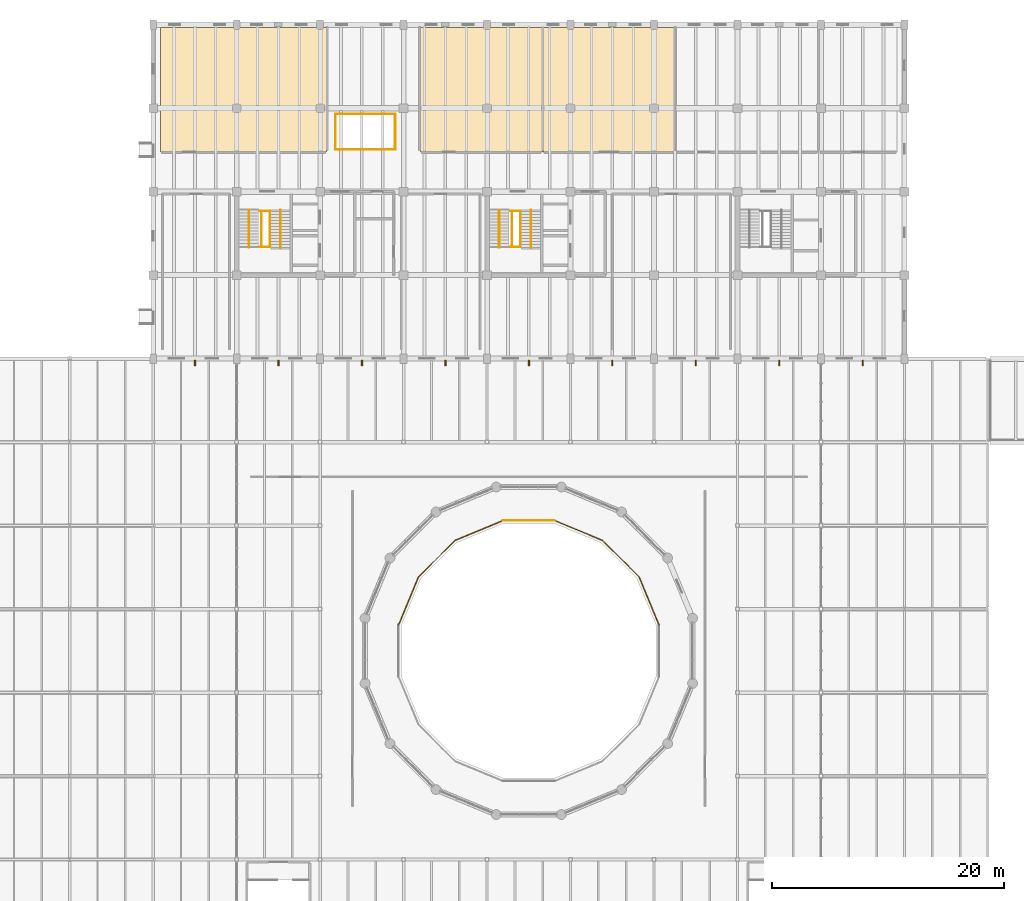
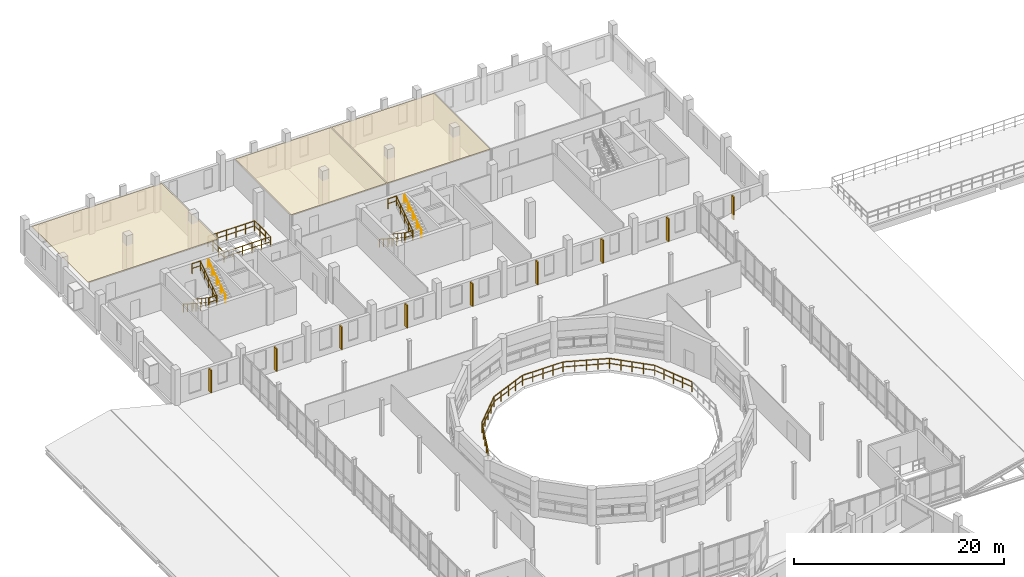
# One storey, part 61 of 63: 23 railings, 9 shading devices, 3 coverings.
"""IFC4 building model written with IfcOpenShell, lengths in metres."""

import ifcopenshell
import ifcopenshell.guid

model = None  # the IFC model being written
_history = None  # IfcOwnerHistory: only IFC2X3 demands one
_inside = {}  # id of a spatial element -> (the spatial element, [elements in it])
_under = {}  # id of a project, library or spatial element -> (it, [spatial elements below it])
_declared = {}  # id of a project -> (the project, [libraries it declares])
_typed = {}  # id of a type object -> (the type object, [elements of that type])
_made_of = {}  # id of a material, layer set ... -> (it, [elements and type objects made of it])


def new_model(schema):
    """Start an empty IFC model of exactly this schema.

    Asked for "IFC4X3", IfcOpenShell would pick the latest addendum, in which some entities
    have other attributes; the version numbers below select the first issue.
    IFC2X3 requires an IfcOwnerHistory on every rooted entity: one is made here for all.
    """
    global model, _history
    if schema == "IFC4X3":
        model = ifcopenshell.file(schema_version=(4, 3, 0, 0))
    else:
        model = ifcopenshell.file(schema=schema)
    _inside.clear()
    _under.clear()
    _declared.clear()
    _typed.clear()
    _made_of.clear()
    _history = None
    if model.schema == "IFC2X3":
        org = make("IfcOrganization", Name="unknown")
        user = make(
            "IfcPersonAndOrganization",
            ThePerson=make("IfcPerson", FamilyName="unknown"),
            TheOrganization=org,
        )
        app = make(
            "IfcApplication",
            ApplicationDeveloper=org,
            Version="unknown",
            ApplicationFullName="unknown",
            ApplicationIdentifier="unknown",
        )
        _history = make(
            "IfcOwnerHistory",
            OwningUser=user,
            OwningApplication=app,
            ChangeAction="ADDED",
            CreationDate=0,
        )
    return model


def make(cls, **values):
    """One entity of the class cls with the attributes given. An attribute that is None is left unset."""
    return model.create_entity(
        cls, **{name: value for name, value in values.items() if value is not None}
    )


def rooted(cls, **values):
    """An entity with a GlobalId (a new one), such as an element, a storey or a relation."""
    return make(cls, GlobalId=ifcopenshell.guid.new(), OwnerHistory=_history, **values)


def si_unit(unit_type, name, prefix=None):
    """IfcSIUnit, for example si_unit("LENGTHUNIT", "METRE", prefix="MILLI")."""
    return make("IfcSIUnit", UnitType=unit_type, Prefix=prefix, Name=name)


def assignment(units):
    """IfcUnitAssignment: the units of a project."""
    return None if units is None else make("IfcUnitAssignment", Units=units)


def point(xyz):
    """IfcCartesianPoint."""
    return None if xyz is None else make("IfcCartesianPoint", Coordinates=xyz)


def direction(xyz):
    """IfcDirection."""
    return None if xyz is None else make("IfcDirection", DirectionRatios=xyz)


def frame(location, z_axis=None, x_axis=None):
    """IfcAxis2Placement3D, a coordinate frame: its origin and axes. An axis left out is left unset."""
    return make(
        "IfcAxis2Placement3D",
        Location=point(location),
        Axis=direction(z_axis),
        RefDirection=direction(x_axis),
    )


def frame_2d(location, x_axis=None):
    """IfcAxis2Placement2D, a coordinate frame in the plane: its origin and x axis."""
    return make(
        "IfcAxis2Placement2D", Location=point(location), RefDirection=direction(x_axis)
    )


def origin():
    """The frame at (0, 0, 0) with its axes left unset."""
    return frame((0.0, 0.0, 0.0))


def origin_2d():
    """The frame at (0, 0) in the plane with its x axis left unset."""
    return frame_2d((0.0, 0.0))


def place(relative_to, where):
    """IfcLocalPlacement: puts the frame where relative to a parent placement (None: the world)."""
    return make(
        "IfcLocalPlacement", PlacementRelTo=relative_to, RelativePlacement=where
    )


def context(
    kind, dimensions, precision=None, world=None, true_north=None, identifier=None
):
    """IfcGeometricRepresentationContext, for example the 3D "Model" context."""
    return make(
        "IfcGeometricRepresentationContext",
        ContextIdentifier=identifier,
        ContextType=kind,
        CoordinateSpaceDimension=dimensions,
        Precision=precision,
        WorldCoordinateSystem=world,
        TrueNorth=true_north,
    )


def subcontext(parent, identifier, kind, view, scale=None):
    """IfcGeometricRepresentationSubContext, for example "Body" below "Model"."""
    return make(
        "IfcGeometricRepresentationSubContext",
        ContextIdentifier=identifier,
        ContextType=kind,
        ParentContext=parent,
        TargetScale=scale,
        TargetView=view,
    )


def project(units=None, contexts=None):
    """IfcProject with its units and contexts."""
    return rooted(
        "IfcProject",
        Name="project",
        RepresentationContexts=contexts,
        UnitsInContext=assignment(units),
    )


def spatial(cls, under=None, at=None, **own):
    """A site, building, storey or space (cls), placed at a placement, below another one or the project."""
    s = rooted(cls, ObjectPlacement=at, **own)
    if under is not None:
        _under.setdefault(under.id(), (under, []))[1].append(s)
    return s


def polyline(points):
    """IfcPolyline through the points."""
    return make("IfcPolyline", Points=[point(p) for p in points])


def profile(cls, at=None, kind="AREA", **sizes):
    """A parametric profile (cls). Its sizes go by their IFC names, for example OverallWidth=200.0."""
    return make(cls, ProfileType=kind, Position=at, **sizes)


def rectangle(**sizes):
    """IfcRectangleProfileDef."""
    return profile("IfcRectangleProfileDef", **sizes)


def circle(**sizes):
    """IfcCircleProfileDef."""
    return profile("IfcCircleProfileDef", **sizes)


def outline(outer, holes=None, kind="AREA"):
    """IfcArbitraryClosedProfileDef: a profile drawn as a closed curve; with holes, ...WithVoids."""
    if holes is None:
        return make("IfcArbitraryClosedProfileDef", ProfileType=kind, OuterCurve=outer)
    return make(
        "IfcArbitraryProfileDefWithVoids",
        ProfileType=kind,
        OuterCurve=outer,
        InnerCurves=holes,
    )


def extrude(swept, where, along, depth):
    """IfcExtrudedAreaSolid: the profile swept, set in the frame where, extruded along a direction by depth."""
    return make(
        "IfcExtrudedAreaSolid",
        SweptArea=swept,
        Position=where,
        ExtrudedDirection=direction(along),
        Depth=depth,
    )


def shape(context_of_items, identifier, shape_type, items):
    """IfcShapeRepresentation: the items that make up one representation, for example the "Body"."""
    return make(
        "IfcShapeRepresentation",
        ContextOfItems=context_of_items,
        RepresentationIdentifier=identifier,
        RepresentationType=shape_type,
        Items=items,
    )


def material(Name=None, Category=None):
    """IfcMaterial."""
    return make("IfcMaterial", Name=Name, Category=Category)


def layer(
    of_material, thickness, ventilated=None, Name=None, Category=None, Priority=None
):
    """IfcMaterialLayer: one layer of a wall or slab, of a material (None: an air gap)."""
    return make(
        "IfcMaterialLayer",
        Material=of_material,
        LayerThickness=thickness,
        IsVentilated=ventilated,
        Name=Name,
        Category=Category,
        Priority=Priority,
    )


def layer_set(layers, Name=None):
    """IfcMaterialLayerSet."""
    return make("IfcMaterialLayerSet", MaterialLayers=layers, LayerSetName=Name)


def material_profile(
    of_material, cross_section, Name=None, Category=None, Priority=None
):
    """IfcMaterialProfile: a cross section and its material."""
    return make(
        "IfcMaterialProfile",
        Name=Name,
        Material=of_material,
        Profile=cross_section,
        Priority=Priority,
        Category=Category,
    )


def profile_set(profiles, Name=None, composite=None):
    """IfcMaterialProfileSet."""
    return make(
        "IfcMaterialProfileSet",
        Name=Name,
        MaterialProfiles=profiles,
        CompositeProfile=composite,
    )


def made_of(thing, what):
    """Note that an element or type object is made of a material, layer set ...; save() writes the relation."""
    if what is not None:
        _made_of.setdefault(what.id(), (what, []))[1].append(thing)
    return thing


def type_object(cls, material=None, **own):
    """A type object (cls), such as IfcWallType, which elements share."""
    return made_of(rooted(cls, **own), material)


def element(
    cls,
    number,
    at=None,
    inside=None,
    cuts=None,
    type_object=None,
    material=None,
    context=None,
    identifier="Body",
    shape_type=None,
    held_by="IfcProductDefinitionShape",
    body=None,
    shapes=None,
    **own,
):
    """One element of the class cls, such as IfcWall. Its Tag is "e" and its number.

    at: its placement. inside: the storey or other place that contains it. cuts: it is an
    opening in that element (IfcRelVoidsElement). A single representation is given by context,
    identifier, shape_type and body (its items); several are given by shapes. held_by: the class
    of the entity that holds the representations. save() writes the other relations.
    """
    e = rooted(cls, Tag="e%d" % number, ObjectPlacement=at, **own)
    if body is not None:
        shapes = [shape(context, identifier, shape_type, body)]
    if shapes is not None:
        e.Representation = make(held_by, Representations=shapes)
    if inside is not None:
        _inside.setdefault(inside.id(), (inside, []))[1].append(e)
    if cuts is not None:
        rooted(
            "IfcRelVoidsElement", RelatingBuildingElement=cuts, RelatedOpeningElement=e
        )
    if type_object is not None:
        _typed.setdefault(type_object.id(), (type_object, []))[1].append(e)
    return made_of(e, material)


def aggregate(whole, parts):
    """IfcRelAggregates: a whole, such as a stair, and the parts it consists of."""
    return rooted("IfcRelAggregates", RelatingObject=whole, RelatedObjects=parts)


def save(model, path):
    """Write the relations noted so far, then the file.

    IfcRelAggregates (storeys below a building ...), IfcRelContainedInSpatialStructure (elements
    in a storey), IfcRelDefinesByType, IfcRelAssociatesMaterial and IfcRelDeclares: one each for
    every whole, place, type object, material and project.
    """
    for whole, parts in _under.values():
        aggregate(whole, parts)
    for where, things in _inside.values():
        rooted(
            "IfcRelContainedInSpatialStructure",
            RelatedElements=things,
            RelatingStructure=where,
        )
    for kind, things in _typed.values():
        rooted("IfcRelDefinesByType", RelatedObjects=things, RelatingType=kind)
    for what, things in _made_of.values():
        rooted("IfcRelAssociatesMaterial", RelatedObjects=things, RelatingMaterial=what)
    for by, libraries in _declared.values():
        rooted("IfcRelDeclares", RelatingContext=by, RelatedDefinitions=libraries)
    model.write(path)


model = new_model("IFC4")

# Units and contexts
model_context = context("Model", 3, precision=1e-05, world=origin(), true_north=direction((0.0, 1.0)))
body_context = subcontext(model_context, "Body", "Model", "MODEL_VIEW")
ifc_project = project(units=[si_unit("LENGTHUNIT", "METRE"), si_unit("AREAUNIT", "SQUARE_METRE"), si_unit("VOLUMEUNIT", "CUBIC_METRE"), si_unit("PLANEANGLEUNIT", "RADIAN"), si_unit("MASSUNIT", "GRAM", prefix="KILO")], contexts=[model_context])

# Site, building, storey
site_placement = place(None, origin())
site = spatial("IfcSite", under=ifc_project, at=site_placement, CompositionType="ELEMENT")
building_placement = place(site_placement, origin())
building = spatial("IfcBuilding", under=site, at=building_placement, Name="Qiaolan Assembly House", CompositionType="ELEMENT")
storey_placement = place(building_placement, frame((0.0, 0.0, 14.39990234375)))
storey = spatial("IfcBuildingStorey", under=building, at=storey_placement, Name="L03", CompositionType="ELEMENT", Elevation=14.39990234375)

# Coverings
ifc_material_1 = material(Name="Gypsum plasterboard acoustic ceiling")
ifc_layer_1 = layer(ifc_material_1, 0.044921875)
ifc_layer_set_1 = layer_set([ifc_layer_1], Name="Gypsum plasterboard acoustic ceiling")
covering_type_1 = type_object("IfcCoveringType", Name="COV-CEIL-ACOUSTIC", PredefinedType="CEILING", material=ifc_layer_set_1)
covering_1_placement = place(storey_placement, frame((0.0, 0.0, 3.03515625)))
element("IfcCovering", 1, at=covering_1_placement, inside=storey, type_object=covering_type_1, Name="Suspended ceiling Urban Design & Statutory Planning Department", PredefinedType="CEILING", context=body_context, shape_type="SweptSolid", body=[
    extrude(outline(polyline([(36.639892578125, 104.239990234375), (50.9599609375, 104.239990234375), (50.9599609375, 114.949951171875), (36.639892578125, 114.949951171875), (36.639892578125, 104.239990234375)])), origin(), (0.0, 0.0, 1.0), 0.044921875),
])
covering_2_placement = place(storey_placement, frame((0.0, 0.0, 3.03515625)))
element("IfcCovering", 2, at=covering_2_placement, inside=storey, type_object=covering_type_1, Name="Suspended ceiling GIS & Digital Twin Municipal Data Room", PredefinedType="CEILING", context=body_context, shape_type="SweptSolid", body=[
    extrude(outline(polyline([(59.0400390625, 104.239990234375), (69.56005859375, 104.239990234375), (69.56005859375, 114.949951171875), (59.0400390625, 114.949951171875), (59.0400390625, 104.239990234375)])), origin(), (0.0, 0.0, 1.0), 0.044921875),
])
ifc_layer_2 = layer(ifc_material_1, 0.052001953125)
ifc_layer_set_2 = layer_set([ifc_layer_2], Name="Gypsum plasterboard acoustic ceiling")
covering_type_2 = type_object("IfcCoveringType", Name="COV-CEIL-GYPSUM", PredefinedType="CEILING", material=ifc_layer_set_2)
covering_3_placement = place(storey_placement, frame((0.0, 0.0, 3.028076171875)))
element("IfcCovering", 3, at=covering_3_placement, inside=storey, type_object=covering_type_2, Name="Suspended ceiling Departmental Review Conference Room A", PredefinedType="CEILING", context=body_context, shape_type="SweptSolid", body=[
    extrude(outline(polyline([(69.639892578125, 104.239990234375), (80.9599609375, 104.239990234375), (80.9599609375, 114.949951171875), (69.639892578125, 114.949951171875), (69.639892578125, 104.239990234375)])), origin(), (0.0, 0.0, 1.0), 0.052001953125),
])

# Railings
ifc_material_2 = material(Name="Anodised bronze aluminium", Category="aluminium")
railing_type_1 = type_object("IfcRailingType", Name="RAL-GUARD-GALLERY-1200", PredefinedType="BALUSTRADE", material=ifc_material_2)
railing_1_placement = place(storey_placement, frame((79.6298828125, 63.433837890625, 0.0)))
element("IfcRailing", 4, at=railing_1_placement, inside=storey, type_object=railing_type_1, Name="GR-02 Council Chamber L03 Clerestory Ring Guard seg 1", PredefinedType="BALUSTRADE", context=body_context, shape_type="SweptSolid", body=[
    extrude(circle(Radius=0.02392578125, at=origin_2d()), frame((0.0, 0.0, 1.17578125), z_axis=(-0.382651037379, 0.923892950289, 0.0), x_axis=(-0.923892950289, -0.382651037379, 0.0)), (0.0, 0.0, 1.0), 4.467529296875),
    extrude(circle(Radius=0.01611328125, at=origin_2d()), frame((0.0, 0.0, 0.60009765625), z_axis=(-0.382651037379, 0.923892950289, 0.0), x_axis=(-0.923892950289, -0.382651037379, 0.0)), (0.0, 0.0, 1.0), 4.467529296875),
    extrude(circle(Radius=0.02099609375, at=origin_2d()), origin(), (0.0, 0.0, 1.0), 1.15185546875),
    extrude(circle(Radius=0.02099609375, at=origin_2d()), frame((-0.42724609375, 1.03173828125, 0.0)), (0.0, 0.0, 1.0), 1.15185546875),
    extrude(circle(Radius=0.02099609375, at=origin_2d()), frame((-0.854736328125, 2.063720703125, 0.0)), (0.0, 0.0, 1.0), 1.15185546875),
    extrude(circle(Radius=0.02099609375, at=origin_2d()), frame((-1.2822265625, 3.095703125, 0.0)), (0.0, 0.0, 1.0), 1.15185546875),
    extrude(circle(Radius=0.02099609375, at=origin_2d()), frame((-1.70947265625, 4.12744140625, 0.0)), (0.0, 0.0, 1.0), 1.15185546875),
])
railing_2_placement = place(storey_placement, frame((77.92041015625, 67.561279296875, 0.0)))
element("IfcRailing", 5, at=railing_2_placement, inside=storey, type_object=railing_type_1, Name="GR-02 Council Chamber L03 Clerestory Ring Guard seg 2", PredefinedType="BALUSTRADE", context=body_context, shape_type="SweptSolid", body=[
    extrude(circle(Radius=0.02392578125, at=origin_2d()), frame((0.0, 0.0, 1.17578125), z_axis=(-0.707134104233, 0.707079457084, 0.0), x_axis=(-0.707079457084, -0.707134104233, 0.0)), (0.0, 0.0, 1.0), 4.467529296875),
    extrude(circle(Radius=0.01611328125, at=origin_2d()), frame((0.0, 0.0, 0.60009765625), z_axis=(-0.707134104233, 0.707079457084, 0.0), x_axis=(-0.707079457084, -0.707134104233, 0.0)), (0.0, 0.0, 1.0), 4.467529296875),
    extrude(circle(Radius=0.02099609375, at=origin_2d()), origin(), (0.0, 0.0, 1.0), 1.15185546875),
    extrude(circle(Radius=0.02099609375, at=origin_2d()), frame((-0.789794921875, 0.789794921875, 0.0)), (0.0, 0.0, 1.0), 1.15185546875),
    extrude(circle(Radius=0.02099609375, at=origin_2d()), frame((-1.57958984375, 1.57958984375, 0.0)), (0.0, 0.0, 1.0), 1.15185546875),
    extrude(circle(Radius=0.02099609375, at=origin_2d()), frame((-2.369384765625, 2.369140625, 0.0)), (0.0, 0.0, 1.0), 1.15185546875),
    extrude(circle(Radius=0.02099609375, at=origin_2d()), frame((-3.1591796875, 3.158935546875, 0.0)), (0.0, 0.0, 1.0), 1.15185546875),
])
railing_3_placement = place(storey_placement, frame((74.76123046875, 70.72021484375, 0.0)))
element("IfcRailing", 6, at=railing_3_placement, inside=storey, type_object=railing_type_1, Name="GR-02 Council Chamber L03 Clerestory Ring Guard seg 3", PredefinedType="BALUSTRADE", context=body_context, shape_type="SweptSolid", body=[
    extrude(circle(Radius=0.02392578125, at=origin_2d()), frame((0.0, 0.0, 1.17578125), z_axis=(-0.923873629595, 0.382697682956, 0.0), x_axis=(-0.382697682956, -0.923873629595, 0.0)), (0.0, 0.0, 1.0), 4.467529296875),
    extrude(circle(Radius=0.01611328125, at=origin_2d()), frame((0.0, 0.0, 0.60009765625), z_axis=(-0.923873629595, 0.382697682956, 0.0), x_axis=(-0.382697682956, -0.923873629595, 0.0)), (0.0, 0.0, 1.0), 4.467529296875),
    extrude(circle(Radius=0.02099609375, at=origin_2d()), origin(), (0.0, 0.0, 1.0), 1.15185546875),
    extrude(circle(Radius=0.02099609375, at=origin_2d()), frame((-1.03173828125, 0.427490234375, 0.0)), (0.0, 0.0, 1.0), 1.15185546875),
    extrude(circle(Radius=0.02099609375, at=origin_2d()), frame((-2.063720703125, 0.85498046875, 0.0)), (0.0, 0.0, 1.0), 1.15185546875),
    extrude(circle(Radius=0.02099609375, at=origin_2d()), frame((-3.095703125, 1.2822265625, 0.0)), (0.0, 0.0, 1.0), 1.15185546875),
    extrude(circle(Radius=0.02099609375, at=origin_2d()), frame((-4.12744140625, 1.709716796875, 0.0)), (0.0, 0.0, 1.0), 1.15185546875),
])
railing_4_placement = place(storey_placement, frame((70.6337890625, 72.429931640625, 0.0)))
element("IfcRailing", 7, at=railing_4_placement, inside=storey, type_object=railing_type_1, Name="GR-02 Council Chamber L03 Clerestory Ring Guard seg 4", PredefinedType="BALUSTRADE", context=body_context, shape_type="SweptSolid", body=[
    extrude(circle(Radius=0.02392578125, at=origin_2d()), frame((0.0, 0.0, 1.17578125), z_axis=(-1.0, 0.0, 0.0), x_axis=(0.0, -1.0, 0.0)), (0.0, 0.0, 1.0), 4.467529296875),
    extrude(circle(Radius=0.01611328125, at=origin_2d()), frame((0.0, 0.0, 0.60009765625), z_axis=(-1.0, 0.0, 0.0), x_axis=(0.0, -1.0, 0.0)), (0.0, 0.0, 1.0), 4.467529296875),
    extrude(circle(Radius=0.02099609375, at=origin_2d()), origin(), (0.0, 0.0, 1.0), 1.15185546875),
    extrude(circle(Radius=0.02099609375, at=origin_2d()), frame((-1.116943359375, 0.0, 0.0)), (0.0, 0.0, 1.0), 1.15185546875),
    extrude(circle(Radius=0.02099609375, at=origin_2d()), frame((-2.23388671875, 0.0, 0.0)), (0.0, 0.0, 1.0), 1.15185546875),
    extrude(circle(Radius=0.02099609375, at=origin_2d()), frame((-3.3505859375, 0.0, 0.0)), (0.0, 0.0, 1.0), 1.15185546875),
    extrude(circle(Radius=0.02099609375, at=origin_2d()), frame((-4.467529296875, 0.0, 0.0)), (0.0, 0.0, 1.0), 1.15185546875),
])
railing_5_placement = place(storey_placement, frame((66.166259765625, 72.429931640625, 0.0)))
element("IfcRailing", 8, at=railing_5_placement, inside=storey, type_object=railing_type_1, Name="GR-02 Council Chamber L03 Clerestory Ring Guard seg 5", PredefinedType="BALUSTRADE", context=body_context, shape_type="SweptSolid", body=[
    extrude(circle(Radius=0.02392578125, at=origin_2d()), frame((0.0, 0.0, 1.17578125), z_axis=(-0.923873629595, -0.382697682956, 0.0), x_axis=(0.382697682956, -0.923873629595, 0.0)), (0.0, 0.0, 1.0), 4.467529296875),
    extrude(circle(Radius=0.01611328125, at=origin_2d()), frame((0.0, 0.0, 0.60009765625), z_axis=(-0.923873629595, -0.382697682956, 0.0), x_axis=(0.382697682956, -0.923873629595, 0.0)), (0.0, 0.0, 1.0), 4.467529296875),
    extrude(circle(Radius=0.02099609375, at=origin_2d()), origin(), (0.0, 0.0, 1.0), 1.15185546875),
    extrude(circle(Radius=0.02099609375, at=origin_2d()), frame((-1.03173828125, -0.427490234375, 0.0)), (0.0, 0.0, 1.0), 1.15185546875),
    extrude(circle(Radius=0.02099609375, at=origin_2d()), frame((-2.063720703125, -0.85498046875, 0.0)), (0.0, 0.0, 1.0), 1.15185546875),
    extrude(circle(Radius=0.02099609375, at=origin_2d()), frame((-3.095703125, -1.2822265625, 0.0)), (0.0, 0.0, 1.0), 1.15185546875),
    extrude(circle(Radius=0.02099609375, at=origin_2d()), frame((-4.12744140625, -1.709716796875, 0.0)), (0.0, 0.0, 1.0), 1.15185546875),
])
railing_6_placement = place(storey_placement, frame((62.038818359375, 70.72021484375, 0.0)))
element("IfcRailing", 9, at=railing_6_placement, inside=storey, type_object=railing_type_1, Name="GR-02 Council Chamber L03 Clerestory Ring Guard seg 6", PredefinedType="BALUSTRADE", context=body_context, shape_type="SweptSolid", body=[
    extrude(circle(Radius=0.02392578125, at=origin_2d()), frame((0.0, 0.0, 1.17578125), z_axis=(-0.707134104233, -0.707079457084, 0.0), x_axis=(0.707079457084, -0.707134104233, 0.0)), (0.0, 0.0, 1.0), 4.467529296875),
    extrude(circle(Radius=0.01611328125, at=origin_2d()), frame((0.0, 0.0, 0.60009765625), z_axis=(-0.707134104233, -0.707079457084, 0.0), x_axis=(0.707079457084, -0.707134104233, 0.0)), (0.0, 0.0, 1.0), 4.467529296875),
    extrude(circle(Radius=0.02099609375, at=origin_2d()), origin(), (0.0, 0.0, 1.0), 1.15185546875),
    extrude(circle(Radius=0.02099609375, at=origin_2d()), frame((-0.789794921875, -0.789794921875, 0.0)), (0.0, 0.0, 1.0), 1.15185546875),
    extrude(circle(Radius=0.02099609375, at=origin_2d()), frame((-1.57958984375, -1.57958984375, 0.0)), (0.0, 0.0, 1.0), 1.15185546875),
    extrude(circle(Radius=0.02099609375, at=origin_2d()), frame((-2.369384765625, -2.369140625, 0.0)), (0.0, 0.0, 1.0), 1.15185546875),
    extrude(circle(Radius=0.02099609375, at=origin_2d()), frame((-3.1591796875, -3.158935546875, 0.0)), (0.0, 0.0, 1.0), 1.15185546875),
])
railing_7_placement = place(storey_placement, frame((58.879638671875, 67.561279296875, 0.0)))
element("IfcRailing", 10, at=railing_7_placement, inside=storey, type_object=railing_type_1, Name="GR-02 Council Chamber L03 Clerestory Ring Guard seg 7", PredefinedType="BALUSTRADE", context=body_context, shape_type="SweptSolid", body=[
    extrude(circle(Radius=0.02392578125, at=origin_2d()), frame((0.0, 0.0, 1.17578125), z_axis=(-0.382697682956, -0.923873629595, 0.0), x_axis=(0.923873629595, -0.382697682956, 0.0)), (0.0, 0.0, 1.0), 4.467529296875),
    extrude(circle(Radius=0.01611328125, at=origin_2d()), frame((0.0, 0.0, 0.60009765625), z_axis=(-0.382697682956, -0.923873629595, 0.0), x_axis=(0.923873629595, -0.382697682956, 0.0)), (0.0, 0.0, 1.0), 4.467529296875),
    extrude(circle(Radius=0.02099609375, at=origin_2d()), origin(), (0.0, 0.0, 1.0), 1.15185546875),
    extrude(circle(Radius=0.02099609375, at=origin_2d()), frame((-0.427490234375, -1.03173828125, 0.0)), (0.0, 0.0, 1.0), 1.15185546875),
    extrude(circle(Radius=0.02099609375, at=origin_2d()), frame((-0.85498046875, -2.063720703125, 0.0)), (0.0, 0.0, 1.0), 1.15185546875),
    extrude(circle(Radius=0.02099609375, at=origin_2d()), frame((-1.2822265625, -3.095703125, 0.0)), (0.0, 0.0, 1.0), 1.15185546875),
    extrude(circle(Radius=0.02099609375, at=origin_2d()), frame((-1.709716796875, -4.12744140625, 0.0)), (0.0, 0.0, 1.0), 1.15185546875),
])
railing_8_placement = place(storey_placement, frame((51.719970703125, 104.419921875, 0.0)))
element("IfcRailing", 11, at=railing_8_placement, inside=storey, type_object=railing_type_1, Name="GR-02 North-West Wing Lightwell Atrium Balustrade L03 seg 1", PredefinedType="BALUSTRADE", context=body_context, shape_type="SweptSolid", body=[
    extrude(circle(Radius=0.02392578125, at=origin_2d()), frame((0.0, 0.0, 1.17578125), z_axis=(1.0, 0.0, 0.0), x_axis=(0.0, 1.0, 0.0)), (0.0, 0.0, 1.0), 5.159912109375),
    extrude(circle(Radius=0.01611328125, at=origin_2d()), frame((0.0, 0.0, 0.60009765625), z_axis=(1.0, 0.0, 0.0), x_axis=(0.0, 1.0, 0.0)), (0.0, 0.0, 1.0), 5.159912109375),
    extrude(circle(Radius=0.02099609375, at=origin_2d()), origin(), (0.0, 0.0, 1.0), 1.15185546875),
    extrude(circle(Radius=0.02099609375, at=origin_2d()), frame((1.031982421875, 0.0, 0.0)), (0.0, 0.0, 1.0), 1.15185546875),
    extrude(circle(Radius=0.02099609375, at=origin_2d()), frame((2.06396484375, 0.0, 0.0)), (0.0, 0.0, 1.0), 1.15185546875),
    extrude(circle(Radius=0.02099609375, at=origin_2d()), frame((3.095947265625, 0.0, 0.0)), (0.0, 0.0, 1.0), 1.15185546875),
    extrude(circle(Radius=0.02099609375, at=origin_2d()), frame((4.1279296875, 0.0, 0.0)), (0.0, 0.0, 1.0), 1.15185546875),
    extrude(circle(Radius=0.02099609375, at=origin_2d()), frame((5.159912109375, 0.0, 0.0)), (0.0, 0.0, 1.0), 1.15185546875),
])
railing_9_placement = place(storey_placement, frame((56.8798828125, 104.419921875, 0.0)))
element("IfcRailing", 12, at=railing_9_placement, inside=storey, type_object=railing_type_1, Name="GR-02 North-West Wing Lightwell Atrium Balustrade L03 seg 2", PredefinedType="BALUSTRADE", context=body_context, shape_type="SweptSolid", body=[
    extrude(circle(Radius=0.02392578125, at=origin_2d()), frame((0.0, 0.0, 1.17578125), z_axis=(0.0, 1.0, 0.0), x_axis=(-1.0, 0.0, 0.0)), (0.0, 0.0, 1.0), 3.06005859375),
    extrude(circle(Radius=0.01611328125, at=origin_2d()), frame((0.0, 0.0, 0.60009765625), z_axis=(0.0, 1.0, 0.0), x_axis=(-1.0, 0.0, 0.0)), (0.0, 0.0, 1.0), 3.06005859375),
    extrude(circle(Radius=0.02099609375, at=origin_2d()), origin(), (0.0, 0.0, 1.0), 1.15185546875),
    extrude(circle(Radius=0.02099609375, at=origin_2d()), frame((0.0, 1.02001953125, 0.0)), (0.0, 0.0, 1.0), 1.15185546875),
    extrude(circle(Radius=0.02099609375, at=origin_2d()), frame((0.0, 2.0400390625, 0.0)), (0.0, 0.0, 1.0), 1.15185546875),
    extrude(circle(Radius=0.02099609375, at=origin_2d()), frame((0.0, 3.06005859375, 0.0)), (0.0, 0.0, 1.0), 1.15185546875),
])
railing_10_placement = place(storey_placement, frame((56.8798828125, 107.47998046875, 0.0)))
element("IfcRailing", 13, at=railing_10_placement, inside=storey, type_object=railing_type_1, Name="GR-02 North-West Wing Lightwell Atrium Balustrade L03 seg 3", PredefinedType="BALUSTRADE", context=body_context, shape_type="SweptSolid", body=[
    extrude(circle(Radius=0.02392578125, at=origin_2d()), frame((0.0, 0.0, 1.17578125), z_axis=(-1.0, 0.0, 0.0), x_axis=(0.0, -1.0, 0.0)), (0.0, 0.0, 1.0), 5.159912109375),
    extrude(circle(Radius=0.01611328125, at=origin_2d()), frame((0.0, 0.0, 0.60009765625), z_axis=(-1.0, 0.0, 0.0), x_axis=(0.0, -1.0, 0.0)), (0.0, 0.0, 1.0), 5.159912109375),
    extrude(circle(Radius=0.02099609375, at=origin_2d()), origin(), (0.0, 0.0, 1.0), 1.15185546875),
    extrude(circle(Radius=0.02099609375, at=origin_2d()), frame((-1.031982421875, 0.0, 0.0)), (0.0, 0.0, 1.0), 1.15185546875),
    extrude(circle(Radius=0.02099609375, at=origin_2d()), frame((-2.06396484375, 0.0, 0.0)), (0.0, 0.0, 1.0), 1.15185546875),
    extrude(circle(Radius=0.02099609375, at=origin_2d()), frame((-3.095947265625, 0.0, 0.0)), (0.0, 0.0, 1.0), 1.15185546875),
    extrude(circle(Radius=0.02099609375, at=origin_2d()), frame((-4.1279296875, 0.0, 0.0)), (0.0, 0.0, 1.0), 1.15185546875),
    extrude(circle(Radius=0.02099609375, at=origin_2d()), frame((-5.159912109375, 0.0, 0.0)), (0.0, 0.0, 1.0), 1.15185546875),
])
railing_11_placement = place(storey_placement, frame((51.719970703125, 107.47998046875, 0.0)))
element("IfcRailing", 14, at=railing_11_placement, inside=storey, type_object=railing_type_1, Name="GR-02 North-West Wing Lightwell Atrium Balustrade L03 seg 4", PredefinedType="BALUSTRADE", context=body_context, shape_type="SweptSolid", body=[
    extrude(circle(Radius=0.02392578125, at=origin_2d()), frame((0.0, 0.0, 1.17578125), z_axis=(0.0, -1.0, 0.0), x_axis=(1.0, 0.0, 0.0)), (0.0, 0.0, 1.0), 3.06005859375),
    extrude(circle(Radius=0.01611328125, at=origin_2d()), frame((0.0, 0.0, 0.60009765625), z_axis=(0.0, -1.0, 0.0), x_axis=(1.0, 0.0, 0.0)), (0.0, 0.0, 1.0), 3.06005859375),
    extrude(circle(Radius=0.02099609375, at=origin_2d()), origin(), (0.0, 0.0, 1.0), 1.15185546875),
    extrude(circle(Radius=0.02099609375, at=origin_2d()), frame((0.0, -1.02001953125, 0.0)), (0.0, 0.0, 1.0), 1.15185546875),
    extrude(circle(Radius=0.02099609375, at=origin_2d()), frame((0.0, -2.0400390625, 0.0)), (0.0, 0.0, 1.0), 1.15185546875),
    extrude(circle(Radius=0.02099609375, at=origin_2d()), frame((0.0, -3.06005859375, 0.0)), (0.0, 0.0, 1.0), 1.15185546875),
])
railing_type_2 = type_object("IfcRailingType", Name="RAL-GUARD-STAIRWELL-1150", PredefinedType="GUARDRAIL", material=ifc_material_2)
railing_12_placement = place(storey_placement, frame((45.340087890625, 99.14990234375, 0.0)))
element("IfcRailing", 15, at=railing_12_placement, inside=storey, type_object=railing_type_2, Name="GR-01 stair inner-well guard FLT-CORE-A-L03-1", PredefinedType="GUARDRAIL", context=body_context, shape_type="SweptSolid", body=[
    extrude(circle(Radius=0.02392578125, at=origin_2d()), frame((0.0, 0.0, 1.1259765625), z_axis=(0.0, -0.829565193945, 0.558409875445), x_axis=(1.0, 0.0, 0.0)), (0.0, 0.0, 1.0), 3.7607421875),
    extrude(circle(Radius=0.01611328125, at=origin_2d()), frame((0.0, 0.0, 0.574951171875), z_axis=(0.0, -0.829565193945, 0.558409875445), x_axis=(1.0, 0.0, 0.0)), (0.0, 0.0, 1.0), 3.7607421875),
    extrude(circle(Radius=0.02099609375, at=origin_2d()), origin(), (0.0, 0.0, 1.0), 1.101806640625),
    extrude(circle(Radius=0.02099609375, at=origin_2d()), frame((0.0, -0.780029296875, 0.52490234375)), (0.0, 0.0, 1.0), 1.101806640625),
    extrude(circle(Radius=0.02099609375, at=origin_2d()), frame((0.0, -1.56005859375, 1.050048828125)), (0.0, 0.0, 1.0), 1.101806640625),
    extrude(circle(Radius=0.02099609375, at=origin_2d()), frame((0.0, -2.33984375, 1.5751953125)), (0.0, 0.0, 1.0), 1.101806640625),
    extrude(circle(Radius=0.02099609375, at=origin_2d()), frame((0.0, -3.119873046875, 2.10009765625)), (0.0, 0.0, 1.0), 1.101806640625),
])
railing_13_placement = place(storey_placement, frame((46.080078125, 96.030029296875, 2.10009765625)))
element("IfcRailing", 16, at=railing_13_placement, inside=storey, type_object=railing_type_2, Name="GR-01 stair inner-well guard FLT-CORE-A-L03-2", PredefinedType="GUARDRAIL", context=body_context, shape_type="SweptSolid", body=[
    extrude(circle(Radius=0.02392578125, at=origin_2d()), frame((0.0, 0.0, 1.1259765625), z_axis=(0.0, 0.829565193945, 0.558409875445), x_axis=(-1.0, 0.0, 0.0)), (0.0, 0.0, 1.0), 3.7607421875),
    extrude(circle(Radius=0.01611328125, at=origin_2d()), frame((0.0, 0.0, 0.574951171875), z_axis=(0.0, 0.829565193945, 0.558409875445), x_axis=(-1.0, 0.0, 0.0)), (0.0, 0.0, 1.0), 3.7607421875),
    extrude(circle(Radius=0.02099609375, at=origin_2d()), origin(), (0.0, 0.0, 1.0), 1.101806640625),
    extrude(circle(Radius=0.02099609375, at=origin_2d()), frame((0.0, 0.780029296875, 0.52490234375)), (0.0, 0.0, 1.0), 1.101806640625),
    extrude(circle(Radius=0.02099609375, at=origin_2d()), frame((0.0, 1.56005859375, 1.050048828125)), (0.0, 0.0, 1.0), 1.101806640625),
    extrude(circle(Radius=0.02099609375, at=origin_2d()), frame((0.0, 2.33984375, 1.5751953125)), (0.0, 0.0, 1.0), 1.101806640625),
    extrude(circle(Radius=0.02099609375, at=origin_2d()), frame((0.0, 3.119873046875, 2.10009765625)), (0.0, 0.0, 1.0), 1.101806640625),
])
for number, where, name in (
    (17, (45.179931640625, 96.030029296875, 2.10009765625), "GR-01 stairwell landing guard CORE-A L03-1"),
    (18, (45.179931640625, 99.14990234375, 4.2001953125), "GR-01 stairwell landing guard CORE-A L03-2"),
):
    element("IfcRailing", number, at=place(storey_placement, frame(where)), inside=storey, type_object=railing_type_2, Name=name, PredefinedType="GUARDRAIL", context=body_context, shape_type="SweptSolid", body=[
        extrude(circle(Radius=0.02392578125, at=origin_2d()), frame((0.0, 0.0, 1.1259765625), z_axis=(1.0, 0.0, 0.0), x_axis=(0.0, 1.0, 0.0)), (0.0, 0.0, 1.0), 0.920166015625),
        extrude(circle(Radius=0.01611328125, at=origin_2d()), frame((0.0, 0.0, 0.574951171875), z_axis=(1.0, 0.0, 0.0), x_axis=(0.0, 1.0, 0.0)), (0.0, 0.0, 1.0), 0.920166015625),
        extrude(circle(Radius=0.02099609375, at=origin_2d()), origin(), (0.0, 0.0, 1.0), 1.101806640625),
        extrude(circle(Radius=0.02099609375, at=origin_2d()), frame((0.920166015625, 0.0, 0.0)), (0.0, 0.0, 1.0), 1.101806640625),
    ])
railing_14_placement = place(storey_placement, frame((66.93994140625, 99.14990234375, 0.0)))
element("IfcRailing", 19, at=railing_14_placement, inside=storey, type_object=railing_type_2, Name="GR-01 stair inner-well guard FLT-CORE-B-L03-1", PredefinedType="GUARDRAIL", context=body_context, shape_type="SweptSolid", body=[
    extrude(circle(Radius=0.02392578125, at=origin_2d()), frame((0.0, 0.0, 1.1259765625), z_axis=(0.0, -0.829565193945, 0.558409875445), x_axis=(1.0, 0.0, 0.0)), (0.0, 0.0, 1.0), 3.7607421875),
    extrude(circle(Radius=0.01611328125, at=origin_2d()), frame((0.0, 0.0, 0.574951171875), z_axis=(0.0, -0.829565193945, 0.558409875445), x_axis=(1.0, 0.0, 0.0)), (0.0, 0.0, 1.0), 3.7607421875),
    extrude(circle(Radius=0.02099609375, at=origin_2d()), origin(), (0.0, 0.0, 1.0), 1.101806640625),
    extrude(circle(Radius=0.02099609375, at=origin_2d()), frame((0.0, -0.780029296875, 0.52490234375)), (0.0, 0.0, 1.0), 1.101806640625),
    extrude(circle(Radius=0.02099609375, at=origin_2d()), frame((0.0, -1.56005859375, 1.050048828125)), (0.0, 0.0, 1.0), 1.101806640625),
    extrude(circle(Radius=0.02099609375, at=origin_2d()), frame((0.0, -2.33984375, 1.5751953125)), (0.0, 0.0, 1.0), 1.101806640625),
    extrude(circle(Radius=0.02099609375, at=origin_2d()), frame((0.0, -3.119873046875, 2.10009765625)), (0.0, 0.0, 1.0), 1.101806640625),
])
railing_15_placement = place(storey_placement, frame((67.679931640625, 96.030029296875, 2.10009765625)))
element("IfcRailing", 20, at=railing_15_placement, inside=storey, type_object=railing_type_2, Name="GR-01 stair inner-well guard FLT-CORE-B-L03-2", PredefinedType="GUARDRAIL", context=body_context, shape_type="SweptSolid", body=[
    extrude(circle(Radius=0.02392578125, at=origin_2d()), frame((0.0, 0.0, 1.1259765625), z_axis=(0.0, 0.829565193945, 0.558409875445), x_axis=(-1.0, 0.0, 0.0)), (0.0, 0.0, 1.0), 3.7607421875),
    extrude(circle(Radius=0.01611328125, at=origin_2d()), frame((0.0, 0.0, 0.574951171875), z_axis=(0.0, 0.829565193945, 0.558409875445), x_axis=(-1.0, 0.0, 0.0)), (0.0, 0.0, 1.0), 3.7607421875),
    extrude(circle(Radius=0.02099609375, at=origin_2d()), origin(), (0.0, 0.0, 1.0), 1.101806640625),
    extrude(circle(Radius=0.02099609375, at=origin_2d()), frame((0.0, 0.780029296875, 0.52490234375)), (0.0, 0.0, 1.0), 1.101806640625),
    extrude(circle(Radius=0.02099609375, at=origin_2d()), frame((0.0, 1.56005859375, 1.050048828125)), (0.0, 0.0, 1.0), 1.101806640625),
    extrude(circle(Radius=0.02099609375, at=origin_2d()), frame((0.0, 2.33984375, 1.5751953125)), (0.0, 0.0, 1.0), 1.101806640625),
    extrude(circle(Radius=0.02099609375, at=origin_2d()), frame((0.0, 3.119873046875, 2.10009765625)), (0.0, 0.0, 1.0), 1.101806640625),
])
for number, where, name in (
    (21, (66.780029296875, 96.030029296875, 2.10009765625), "GR-01 stairwell landing guard CORE-B L03-1"),
    (22, (66.780029296875, 99.14990234375, 4.2001953125), "GR-01 stairwell landing guard CORE-B L03-2"),
):
    element("IfcRailing", number, at=place(storey_placement, frame(where)), inside=storey, type_object=railing_type_2, Name=name, PredefinedType="GUARDRAIL", context=body_context, shape_type="SweptSolid", body=[
        extrude(circle(Radius=0.02392578125, at=origin_2d()), frame((0.0, 0.0, 1.1259765625), z_axis=(1.0, 0.0, 0.0), x_axis=(0.0, 1.0, 0.0)), (0.0, 0.0, 1.0), 0.919921875),
        extrude(circle(Radius=0.01611328125, at=origin_2d()), frame((0.0, 0.0, 0.574951171875), z_axis=(1.0, 0.0, 0.0), x_axis=(0.0, 1.0, 0.0)), (0.0, 0.0, 1.0), 0.919921875),
        extrude(circle(Radius=0.02099609375, at=origin_2d()), origin(), (0.0, 0.0, 1.0), 1.101806640625),
        extrude(circle(Radius=0.02099609375, at=origin_2d()), frame((0.919921875, 0.0, 0.0)), (0.0, 0.0, 1.0), 1.101806640625),
    ])
railing_type_3 = type_object("IfcRailingType", Name="RAL-HANDRAIL-STAIR-920", PredefinedType="HANDRAIL", material=ifc_material_2)
railing_16_placement = place(storey_placement, frame((44.25, 99.2099609375, 0.0)))
element("IfcRailing", 23, at=railing_16_placement, inside=storey, type_object=railing_type_3, Name="HR-01 stair handrail FLT-CORE-A-L03-1", PredefinedType="HANDRAIL", context=body_context, shape_type="SweptSolid", body=[
    extrude(circle(Radius=0.02392578125, at=origin_2d()), frame((0.0, 0.0, 0.89599609375), z_axis=(0.0, -0.839140694364, 0.543914418877), x_axis=(1.0, 0.0, 0.0)), (0.0, 0.0, 1.0), 3.861083984375),
    extrude(circle(Radius=0.02099609375, at=origin_2d()), origin(), (0.0, 0.0, 1.0), 0.871826171875),
    extrude(circle(Radius=0.02099609375, at=origin_2d()), frame((0.0, -0.81005859375, 0.52490234375)), (0.0, 0.0, 1.0), 0.871826171875),
    extrude(circle(Radius=0.02099609375, at=origin_2d()), frame((0.0, -1.6201171875, 1.050048828125)), (0.0, 0.0, 1.0), 0.871826171875),
    extrude(circle(Radius=0.02099609375, at=origin_2d()), frame((0.0, -2.429931640625, 1.5751953125)), (0.0, 0.0, 1.0), 0.871826171875),
    extrude(circle(Radius=0.02099609375, at=origin_2d()), frame((0.0, -3.239990234375, 2.10009765625)), (0.0, 0.0, 1.0), 0.871826171875),
])
railing_17_placement = place(storey_placement, frame((47.0, 95.969970703125, 2.10009765625)))
element("IfcRailing", 24, at=railing_17_placement, inside=storey, type_object=railing_type_3, Name="HR-01 stair handrail FLT-CORE-A-L03-2", PredefinedType="HANDRAIL", context=body_context, shape_type="SweptSolid", body=[
    extrude(circle(Radius=0.02392578125, at=origin_2d()), frame((0.0, 0.0, 0.89599609375), z_axis=(0.0, 0.839140694364, 0.543914418877), x_axis=(-1.0, 0.0, 0.0)), (0.0, 0.0, 1.0), 3.861083984375),
    extrude(circle(Radius=0.02099609375, at=origin_2d()), origin(), (0.0, 0.0, 1.0), 0.871826171875),
    extrude(circle(Radius=0.02099609375, at=origin_2d()), frame((0.0, 0.81005859375, 0.52490234375)), (0.0, 0.0, 1.0), 0.871826171875),
    extrude(circle(Radius=0.02099609375, at=origin_2d()), frame((0.0, 1.6201171875, 1.050048828125)), (0.0, 0.0, 1.0), 0.871826171875),
    extrude(circle(Radius=0.02099609375, at=origin_2d()), frame((0.0, 2.429931640625, 1.5751953125)), (0.0, 0.0, 1.0), 0.871826171875),
    extrude(circle(Radius=0.02099609375, at=origin_2d()), frame((0.0, 3.239990234375, 2.10009765625)), (0.0, 0.0, 1.0), 0.871826171875),
])
railing_18_placement = place(storey_placement, frame((65.85009765625, 99.2099609375, 0.0)))
element("IfcRailing", 25, at=railing_18_placement, inside=storey, type_object=railing_type_3, Name="HR-01 stair handrail FLT-CORE-B-L03-1", PredefinedType="HANDRAIL", context=body_context, shape_type="SweptSolid", body=[
    extrude(circle(Radius=0.02392578125, at=origin_2d()), frame((0.0, 0.0, 0.89599609375), z_axis=(0.0, -0.839140694364, 0.543914418877), x_axis=(1.0, 0.0, 0.0)), (0.0, 0.0, 1.0), 3.861083984375),
    extrude(circle(Radius=0.02099609375, at=origin_2d()), origin(), (0.0, 0.0, 1.0), 0.871826171875),
    extrude(circle(Radius=0.02099609375, at=origin_2d()), frame((0.0, -0.81005859375, 0.52490234375)), (0.0, 0.0, 1.0), 0.871826171875),
    extrude(circle(Radius=0.02099609375, at=origin_2d()), frame((0.0, -1.6201171875, 1.050048828125)), (0.0, 0.0, 1.0), 0.871826171875),
    extrude(circle(Radius=0.02099609375, at=origin_2d()), frame((0.0, -2.429931640625, 1.5751953125)), (0.0, 0.0, 1.0), 0.871826171875),
    extrude(circle(Radius=0.02099609375, at=origin_2d()), frame((0.0, -3.239990234375, 2.10009765625)), (0.0, 0.0, 1.0), 0.871826171875),
])
railing_19_placement = place(storey_placement, frame((68.60009765625, 95.969970703125, 2.10009765625)))
element("IfcRailing", 26, at=railing_19_placement, inside=storey, type_object=railing_type_3, Name="HR-01 stair handrail FLT-CORE-B-L03-2", PredefinedType="HANDRAIL", context=body_context, shape_type="SweptSolid", body=[
    extrude(circle(Radius=0.02392578125, at=origin_2d()), frame((0.0, 0.0, 0.89599609375), z_axis=(0.0, 0.839140694364, 0.543914418877), x_axis=(-1.0, 0.0, 0.0)), (0.0, 0.0, 1.0), 3.861083984375),
    extrude(circle(Radius=0.02099609375, at=origin_2d()), origin(), (0.0, 0.0, 1.0), 0.871826171875),
    extrude(circle(Radius=0.02099609375, at=origin_2d()), frame((0.0, 0.81005859375, 0.52490234375)), (0.0, 0.0, 1.0), 0.871826171875),
    extrude(circle(Radius=0.02099609375, at=origin_2d()), frame((0.0, 1.6201171875, 1.050048828125)), (0.0, 0.0, 1.0), 0.871826171875),
    extrude(circle(Radius=0.02099609375, at=origin_2d()), frame((0.0, 2.429931640625, 1.5751953125)), (0.0, 0.0, 1.0), 0.871826171875),
    extrude(circle(Radius=0.02099609375, at=origin_2d()), frame((0.0, 3.239990234375, 2.10009765625)), (0.0, 0.0, 1.0), 0.871826171875),
])

# Shading devices
ifc_material_3 = material(Name="Honed pale limestone", Category="masonry")
ifc_material_profile = material_profile(ifc_material_3, rectangle(XDim=0.1201171875, YDim=0.449951171875, at=origin_2d()), Name="FIN 120x450")
ifc_profile_set = profile_set([ifc_material_profile], Name="Honed pale limestone")
shading_device_type = type_object("IfcShadingDeviceType", Name="SHD-FIN-STONE-450", PredefinedType="JALOUSIE", material=ifc_profile_set)
for number, where, z_axis, x_axis, name in (
    (27, (39.60009765625, 86.02001953125, 0.300048828125), (0.0, 0.0, 1.0), (1.0, 0.0, 0.0), "SH-01 vertical limestone brise-soleil fin L03-1"),
    (28, (46.800048828125, 86.02001953125, 0.300048828125), (0.0, 0.0, 1.0), (1.0, 0.0, 0.0), "SH-01 vertical limestone brise-soleil fin L03-2"),
    (29, (54.0, 86.02001953125, 0.300048828125), (0.0, 0.0, 1.0), (1.0, 0.0, 0.0), "SH-01 vertical limestone brise-soleil fin L03-3"),
    (30, (61.199951171875, 86.02001953125, 0.300048828125), (0.0, 0.0, 1.0), (1.0, 0.0, 0.0), "SH-01 vertical limestone brise-soleil fin L03-4"),
    (31, (68.39990234375, 86.02001953125, 0.300048828125), (0.0, 0.0, 1.0), (1.0, 0.0, 0.0), "SH-01 vertical limestone brise-soleil fin L03-5"),
    (32, (75.60009765625, 86.02001953125, 0.300048828125), (0.0, 0.0, 1.0), (1.0, 0.0, 0.0), "SH-01 vertical limestone brise-soleil fin L03-6"),
    (33, (82.800048828125, 86.02001953125, 0.300048828125), (0.0, 0.0, 1.0), (1.0, 0.0, 0.0), "SH-01 vertical limestone brise-soleil fin L03-7"),
    (34, (90.0, 86.02001953125, 0.300048828125), (0.0, 0.0, 1.0), (1.0, 0.0, 0.0), "SH-01 vertical limestone brise-soleil fin L03-8"),
    (35, (97.199951171875, 86.02001953125, 0.300048828125), (0.0, 0.0, 1.0), (1.0, 0.0, 0.0), "SH-01 vertical limestone brise-soleil fin L03-9"),
):
    element("IfcShadingDevice", number, at=place(storey_placement, frame(where, z_axis=z_axis, x_axis=x_axis)), inside=storey, type_object=shading_device_type, Name=name, PredefinedType="JALOUSIE", context=body_context, shape_type="SweptSolid", body=[
        extrude(rectangle(XDim=0.1201171875, YDim=0.449951171875, at=origin_2d()), origin(), (0.0, 0.0, 1.0), 2.64013671875),
    ])

save(model, "model.ifc")
